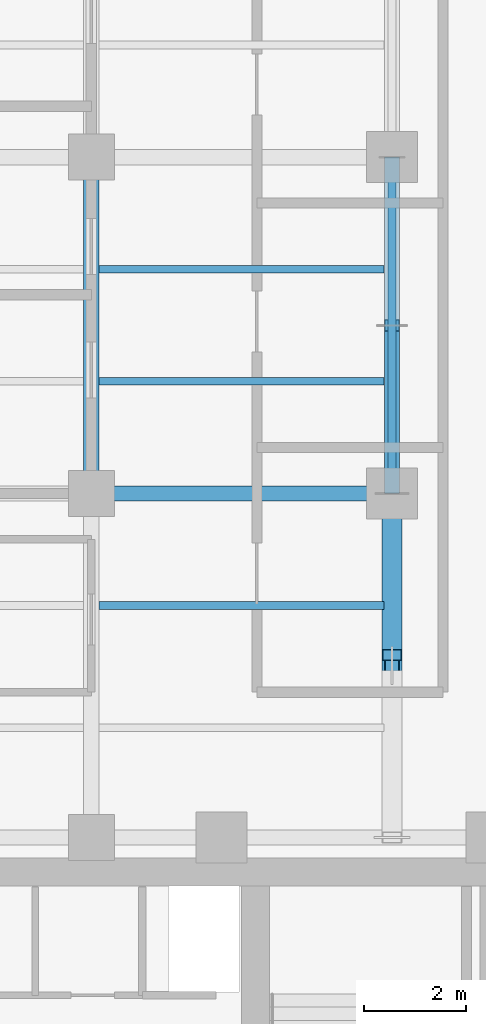
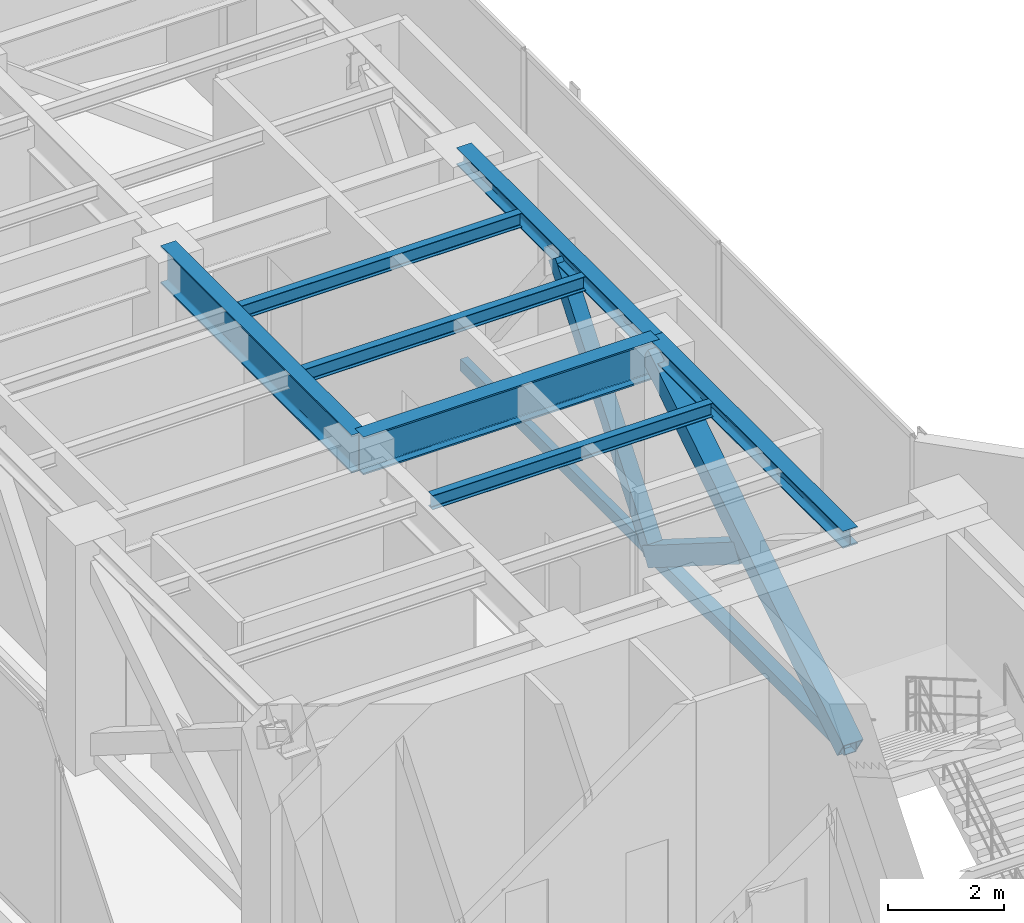
# One storey, part 12 of 31: 7 beams, 5 members.
"""IFC4 building model written with IfcOpenShell, lengths in metres."""

from ifc_helpers import new_model, si_unit, direction, frame, origin, origin_2d, place, context, subcontext, project, spatial, hollow_rectangle, i_section, extrude, material, material_profile, profile_set, type_object, element, save


model = new_model("IFC4")

# Units and contexts
model_context = context("Model", 3, precision=1e-05, world=origin(), true_north=direction((0.0, 1.0)))
body_context = subcontext(model_context, "Body", "Model", "MODEL_VIEW")
ifc_project = project(units=[si_unit("LENGTHUNIT", "METRE"), si_unit("AREAUNIT", "SQUARE_METRE"), si_unit("VOLUMEUNIT", "CUBIC_METRE"), si_unit("PLANEANGLEUNIT", "RADIAN"), si_unit("MASSUNIT", "GRAM", prefix="KILO")], contexts=[model_context])

# Site, building, storey
site_placement = place(None, origin())
site = spatial("IfcSite", under=ifc_project, at=site_placement, CompositionType="ELEMENT")
building_placement = place(site_placement, origin())
building = spatial("IfcBuilding", under=site, at=building_placement, Name="Kolvaren Waterfront Exchange", CompositionType="ELEMENT")
storey_placement = place(building_placement, frame((0.0, 0.0, 257.699951171875)))
storey = spatial("IfcBuildingStorey", under=building, at=storey_placement, Name="L66", CompositionType="ELEMENT", Elevation=257.699951171875)

# Beams
ifc_material_1 = material(Name="Steel S355", Category="steel")
ifc_material_profile_1 = material_profile(ifc_material_1, i_section(OverallWidth=0.300048828125, OverallDepth=0.360107421875, WebThickness=0.012451171875, FlangeThickness=0.0224609375, FilletRadius=0.027099609375, at=origin_2d()), Name="HEB360")
ifc_profile_set_1 = profile_set([ifc_material_profile_1], Name="Steel S355")
beam_type_1 = type_object("IfcBeamType", Name="STR-BM-HEB360", PredefinedType="SPANDREL", material=ifc_profile_set_1)
beam_1_placement = place(storey_placement, frame((18.800048828125, 24.449951171875, 4.679931640625), z_axis=(0.0, 1.0, 0.0), x_axis=(-1.0, 0.0, 0.0)))
element("IfcBeam", 1, at=beam_1_placement, inside=storey, type_object=beam_type_1, Name="L66 north-arm edge beam 1", PredefinedType="SPANDREL", context=body_context, shape_type="SweptSolid", body=[
    extrude(i_section(OverallWidth=0.300048828125, OverallDepth=0.360107421875, WebThickness=0.012451171875, FlangeThickness=0.0224609375, FilletRadius=0.027099609375, at=origin_2d()), origin(), (0.0, 0.0, 1.0), 6.75),
])
beam_2_placement = place(storey_placement, frame((18.800048828125, 31.199951171875, 4.679931640625), z_axis=(0.0, 1.0, 0.0), x_axis=(-1.0, 0.0, 0.0)))
element("IfcBeam", 2, at=beam_2_placement, inside=storey, type_object=beam_type_1, Name="L66 north-arm edge beam 2", PredefinedType="SPANDREL", context=body_context, shape_type="SweptSolid", body=[
    extrude(i_section(OverallWidth=0.300048828125, OverallDepth=0.360107421875, WebThickness=0.012451171875, FlangeThickness=0.0224609375, FilletRadius=0.027099609375, at=origin_2d()), origin(), (0.0, 0.0, 1.0), 6.60009765625),
])
ifc_material_profile_2 = material_profile(ifc_material_1, i_section(OverallWidth=0.300048828125, OverallDepth=0.800048828125, WebThickness=0.017578125, FlangeThickness=0.032958984375, FilletRadius=0.030029296875, at=origin_2d()), Name="HEB800")
ifc_profile_set_2 = profile_set([ifc_material_profile_2], Name="Steel S355")
beam_type_2 = type_object("IfcBeamType", Name="STR-BM-HEB800", PredefinedType="BEAM", material=ifc_profile_set_2)
beam_3_placement = place(storey_placement, frame((12.89990234375, 31.199951171875, 4.4599609375), z_axis=(1.0, 0.0, 0.0), x_axis=(0.0, 1.0, 0.0)))
element("IfcBeam", 3, at=beam_3_placement, inside=storey, type_object=beam_type_2, Name="L66 north-arm girder 2B", PredefinedType="BEAM", context=body_context, shape_type="SweptSolid", body=[
    extrude(i_section(OverallWidth=0.300048828125, OverallDepth=0.800048828125, WebThickness=0.017578125, FlangeThickness=0.032958984375, FilletRadius=0.030029296875, at=origin_2d()), origin(), (0.0, 0.0, 1.0), 5.900146484375),
])
beam_4_placement = place(storey_placement, frame((12.89990234375, 31.199951171875, 4.4599609375), z_axis=(0.0, 1.0, 0.0), x_axis=(-1.0, 0.0, 0.0)))
element("IfcBeam", 4, at=beam_4_placement, inside=storey, type_object=beam_type_2, Name="L66 north-arm edge beam 2", PredefinedType="BEAM", context=body_context, shape_type="SweptSolid", body=[
    extrude(i_section(OverallWidth=0.300048828125, OverallDepth=0.800048828125, WebThickness=0.017578125, FlangeThickness=0.032958984375, FilletRadius=0.030029296875, at=origin_2d()), origin(), (0.0, 0.0, 1.0), 6.60009765625),
])
ifc_material_profile_3 = material_profile(ifc_material_1, i_section(OverallWidth=0.14990234375, OverallDepth=0.300048828125, WebThickness=0.007080078125, FlangeThickness=0.0107421875, FilletRadius=0.014892578125, at=origin_2d()), Name="IPE300")
ifc_profile_set_3 = profile_set([ifc_material_profile_3], Name="Steel S355")
beam_type_3 = type_object("IfcBeamType", Name="STR-BM-IPE300", PredefinedType="JOIST", material=ifc_profile_set_3)
for number, where, z_axis, x_axis, name in (
    (5, (13.052001953125, 29.0, 4.7099609375), (1.0, 0.0, 0.0), (0.0, 1.0, 0.0), "L66 north-arm composite joist 2B"),
    (6, (13.052001953125, 33.39990234375, 4.7099609375), (1.0, 0.0, 0.0), (0.0, 1.0, 0.0), "L66 north-arm composite joist 3B"),
    (7, (13.052001953125, 35.60009765625, 4.7099609375), (1.0, 0.0, 0.0), (0.0, 1.0, 0.0), "L66 north-arm composite joist 4B"),
):
    element("IfcBeam", number, at=place(storey_placement, frame(where, z_axis=z_axis, x_axis=x_axis)), inside=storey, type_object=beam_type_3, Name=name, PredefinedType="JOIST", context=body_context, shape_type="SweptSolid", body=[
        extrude(i_section(OverallWidth=0.14990234375, OverallDepth=0.300048828125, WebThickness=0.007080078125, FlangeThickness=0.0107421875, FilletRadius=0.014892578125, at=origin_2d()), origin(), (0.0, 0.0, 1.0), 5.595947265625),
    ])

# Members
ifc_material_2 = material(Name="Steel S460", Category="steel")
ifc_material_profile_4 = material_profile(ifc_material_2, hollow_rectangle(XDim=0.14990234375, YDim=0.25, WallThickness=0.010009765625, at=origin_2d()), Name="RHS250x150x10")
ifc_profile_set_4 = profile_set([ifc_material_profile_4], Name="Steel S460")
member_type_1 = type_object("IfcMemberType", Name="STR-BR-RHS250", PredefinedType="CHORD", material=ifc_profile_set_4)
member_1_placement = place(storey_placement, frame((18.800048828125, 31.199951171875, 0.25), z_axis=(0.0, 1.0, 0.0), x_axis=(-1.0, 0.0, 0.0)))
element("IfcMember", 8, at=member_1_placement, inside=storey, type_object=member_type_1, Name="L66 belt-truss bottom chord BT6", PredefinedType="CHORD", context=body_context, shape_type="SweptSolid", body=[
    extrude(hollow_rectangle(XDim=0.14990234375, YDim=0.25, WallThickness=0.010009765625, at=origin_2d()), origin(), (0.0, 0.0, 1.0), 6.60009765625),
])
ifc_material_profile_5 = material_profile(ifc_material_1, hollow_rectangle(XDim=0.25, YDim=0.25, WallThickness=0.012451171875, at=origin_2d()), Name="SHS250x250x12.5")
ifc_profile_set_5 = profile_set([ifc_material_profile_5], Name="Steel S355")
member_type_2 = type_object("IfcMemberType", Name="STR-BR-SHS250", PredefinedType="CHORD", material=ifc_profile_set_5)
member_2_placement = place(storey_placement, frame((18.800048828125, 24.449951171875, 0.25), z_axis=(0.0, 1.0, 0.0), x_axis=(-1.0, 0.0, 0.0)))
element("IfcMember", 9, at=member_2_placement, inside=storey, type_object=member_type_2, Name="L66 outrigger bottom chord OA4", PredefinedType="CHORD", context=body_context, shape_type="SweptSolid", body=[
    extrude(hollow_rectangle(XDim=0.25, YDim=0.25, WallThickness=0.012451171875, at=origin_2d()), origin(), (0.0, 0.0, 1.0), 6.75),
])
ifc_material_profile_6 = material_profile(ifc_material_1, hollow_rectangle(XDim=0.300048828125, YDim=0.300048828125, WallThickness=0.01611328125, at=origin_2d()), Name="SHS300x300x16")
ifc_profile_set_6 = profile_set([ifc_material_profile_6], Name="Steel S355")
member_type_3 = type_object("IfcMemberType", Name="STR-BR-SHS300", PredefinedType="BRACE", material=ifc_profile_set_6)
member_3_placement = place(storey_placement, frame((18.800048828125, 31.199951171875, 0.25), z_axis=(0.0, 0.612402527517, 0.790546105101), x_axis=(-1.0, 0.0, 0.0)))
element("IfcMember", 10, at=member_3_placement, inside=storey, type_object=member_type_3, Name="L66 belt-truss chevron brace BT6L", PredefinedType="BRACE", context=body_context, shape_type="SweptSolid", body=[
    extrude(hollow_rectangle(XDim=0.300048828125, YDim=0.300048828125, WallThickness=0.01611328125, at=origin_2d()), origin(), (0.0, 0.0, 1.0), 5.388671875),
])
ifc_material_profile_7 = material_profile(ifc_material_2, hollow_rectangle(XDim=0.39990234375, YDim=0.39990234375, WallThickness=0.02001953125, at=origin_2d()), Name="SHS400x400x20")
ifc_profile_set_7 = profile_set([ifc_material_profile_7], Name="Steel S460")
member_type_4 = type_object("IfcMemberType", Name="STR-BR-SHS400", PredefinedType="BRACE", material=ifc_profile_set_7)
member_4_placement = place(storey_placement, frame((18.800048828125, 24.449951171875, 0.25), z_axis=(0.0, 0.845666926357, 0.533711016999), x_axis=(-1.0, 0.0, 0.0)))
element("IfcMember", 11, at=member_4_placement, inside=storey, type_object=member_type_4, Name="L66 outrigger diagonal OA4.1", PredefinedType="BRACE", context=body_context, shape_type="SweptSolid", body=[
    extrude(hollow_rectangle(XDim=0.39990234375, YDim=0.39990234375, WallThickness=0.02001953125, at=origin_2d()), origin(), (0.0, 0.0, 1.0), 7.98193359375),
])
member_5_placement = place(storey_placement, frame((18.800048828125, 31.199951171875, 0.25), z_axis=(0.0, -0.845649720834, 0.533738278236), x_axis=(1.0, 0.0, 0.0)))
element("IfcMember", 12, at=member_5_placement, inside=storey, type_object=member_type_4, Name="L66 outrigger split diagonal OA4.2A", PredefinedType="BRACE", context=body_context, shape_type="SweptSolid", body=[
    extrude(hollow_rectangle(XDim=0.39990234375, YDim=0.39990234375, WallThickness=0.02001953125, at=origin_2d()), origin(), (0.0, 0.0, 1.0), 3.750732421875),
])

save(model, "model.ifc")
